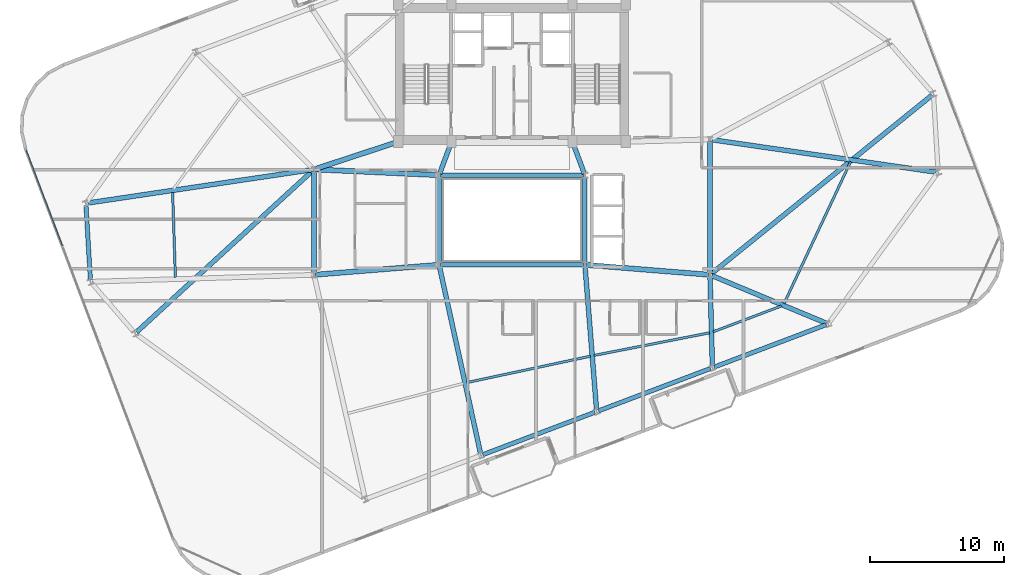
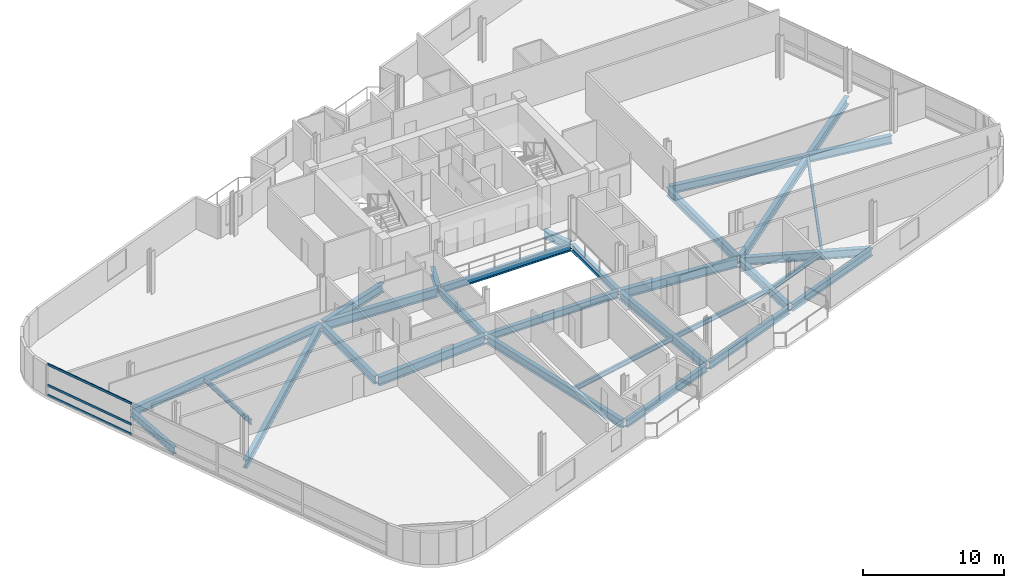
# One storey, part 9 of 24: 29 beams, 3 members, 1 element without a shape of its own.
"""IFC4 building model written with IfcOpenShell, lengths in metres."""

from ifc_helpers import new_model, si_unit, direction, frame, origin, origin_2d, place, context, subcontext, project, spatial, hollow_rectangle, i_section, extrude, material, layer, layer_set, material_profile, profile_set, type_object, element, aggregate, save


model = new_model("IFC4")

# Units and contexts
model_context = context("Model", 3, precision=1e-05, world=origin(), true_north=direction((0.0, 1.0)))
body_context = subcontext(model_context, "Body", "Model", "MODEL_VIEW")
ifc_project = project(units=[si_unit("LENGTHUNIT", "METRE"), si_unit("AREAUNIT", "SQUARE_METRE"), si_unit("VOLUMEUNIT", "CUBIC_METRE"), si_unit("PLANEANGLEUNIT", "RADIAN"), si_unit("MASSUNIT", "GRAM", prefix="KILO")], contexts=[model_context])

# Site, building, storey
site_placement = place(None, origin())
site = spatial("IfcSite", under=ifc_project, at=site_placement, CompositionType="ELEMENT")
building_placement = place(site_placement, origin())
building = spatial("IfcBuilding", under=site, at=building_placement, Name="Varnelok Gate Tower", CompositionType="ELEMENT")
storey_placement = place(building_placement, frame((0.0, 0.0, 242.300048828125)))
storey = spatial("IfcBuildingStorey", under=building, at=storey_placement, Name="L62", CompositionType="ELEMENT", Elevation=242.300048828125)

# Beams
ifc_material_1 = material(Name="Structural Steel ASTM A992 Grade 50", Category="steel")
ifc_material_profile_1 = material_profile(ifc_material_1, i_section(OverallWidth=0.180908203125, OverallDepth=0.4169921875, WebThickness=0.010986328125, FlangeThickness=0.018310546875, FilletRadius=0.013916015625, at=origin_2d()), Name="W16X57")
ifc_profile_set_1 = profile_set([ifc_material_profile_1], Name="Structural Steel ASTM A992 Grade 50")
beam_type_1 = type_object("IfcBeamType", Name="BM-JST-W16X57", PredefinedType="JOIST", material=ifc_profile_set_1)
beam_1_placement = place(storey_placement, frame((35.827392578125, 10.74609375, -0.45849609375), z_axis=(0.97793355235, 0.208916172636, 0.0), x_axis=(-0.208916172636, 0.97793355235, 0.0)))
element("IfcBeam", 1, at=beam_1_placement, inside=storey, type_object=beam_type_1, Name="L62 Sector Floor Joist 2", PredefinedType="JOIST", context=body_context, shape_type="SweptSolid", body=[
    extrude(i_section(OverallWidth=0.180908203125, OverallDepth=0.4169921875, WebThickness=0.010986328125, FlangeThickness=0.018310546875, FilletRadius=0.013916015625, at=origin_2d()), origin(), (0.0, 0.0, 1.0), 9.43994140625),
])
beam_2_placement = place(storey_placement, frame((45.33349609375, 12.7744140625, -0.45849609375), z_axis=(0.981373341714, 0.192110291692, 0.0), x_axis=(-0.192110291692, 0.981373341714, 0.0)))
element("IfcBeam", 2, at=beam_2_placement, inside=storey, type_object=beam_type_1, Name="L62 Sector Floor Joist 3", PredefinedType="JOIST", context=body_context, shape_type="SweptSolid", body=[
    extrude(i_section(OverallWidth=0.180908203125, OverallDepth=0.4169921875, WebThickness=0.010986328125, FlangeThickness=0.018310546875, FilletRadius=0.013916015625, at=origin_2d()), origin(), (0.0, 0.0, 1.0), 8.8056640625),
])
beam_3_placement = place(storey_placement, frame((54.243408203125, 14.54248046875, -0.45849609375), z_axis=(0.935206160185, 0.354103710729, 0.0), x_axis=(-0.354103710729, 0.935206160185, 0.0)))
element("IfcBeam", 3, at=beam_3_placement, inside=storey, type_object=beam_type_1, Name="L62 Sector Floor Joist 4", PredefinedType="JOIST", context=body_context, shape_type="SweptSolid", body=[
    extrude(i_section(OverallWidth=0.180908203125, OverallDepth=0.4169921875, WebThickness=0.010986328125, FlangeThickness=0.018310546875, FilletRadius=0.013916015625, at=origin_2d()), origin(), (0.0, 0.0, 1.0), 5.455078125),
])
beam_4_placement = place(storey_placement, frame((59.535400390625, 16.650390625, -0.45849609375), z_axis=(0.424724636523, 0.905322585121, 0.0), x_axis=(-0.905322585121, 0.424724636523, 0.0)))
element("IfcBeam", 4, at=beam_4_placement, inside=storey, type_object=beam_type_1, Name="L62 Sector Floor Joist 5", PredefinedType="JOIST", context=body_context, shape_type="SweptSolid", body=[
    extrude(i_section(OverallWidth=0.180908203125, OverallDepth=0.4169921875, WebThickness=0.010986328125, FlangeThickness=0.018310546875, FilletRadius=0.013916015625, at=origin_2d()), origin(), (0.0, 0.0, 1.0), 11.723388671875),
])
beam_5_placement = place(storey_placement, frame((13.830322265625, 24.969482421875, -0.45849609375), z_axis=(0.032693153675, -0.999465435972, 0.0), x_axis=(0.999465435972, 0.032693153675, 0.0)))
element("IfcBeam", 5, at=beam_5_placement, inside=storey, type_object=beam_type_1, Name="L62 Sector Floor Joist 12", PredefinedType="JOIST", context=body_context, shape_type="SweptSolid", body=[
    extrude(i_section(OverallWidth=0.180908203125, OverallDepth=0.4169921875, WebThickness=0.010986328125, FlangeThickness=0.018310546875, FilletRadius=0.013916015625, at=origin_2d()), origin(), (0.0, 0.0, 1.0), 6.35498046875),
])
ifc_material_profile_2 = material_profile(ifc_material_1, i_section(OverallWidth=0.35498046875, OverallDepth=0.696044921875, WebThickness=0.015380859375, FlangeThickness=0.02490234375, FilletRadius=0.02001953125, at=origin_2d()), Name="W27X146")
ifc_profile_set_2 = profile_set([ifc_material_profile_2], Name="Structural Steel ASTM A992 Grade 50")
beam_type_2 = type_object("IfcBeamType", Name="BM-PRI-W27X146", PredefinedType="BEAM", material=ifc_profile_set_2)
for number, where, z_axis, x_axis, name in (
    (6, (33.791748046875, 26.362548828125, -0.59814453125), (0.348719329408, 0.937227202602, 0.0), (-0.937227202602, 0.348719329408, 0.0), "L62 Core-Atrium Spine Beam 12"),
    (7, (44.608154296875, 26.362548828125, -0.59814453125), (-0.348719329408, 0.937227202602, 0.0), (-0.937227202602, -0.348719329408, 0.0), "L62 Core-Atrium Spine Beam 13"),
):
    element("IfcBeam", number, at=place(storey_placement, frame(where, z_axis=z_axis, x_axis=x_axis)), inside=storey, type_object=beam_type_2, Name=name, PredefinedType="BEAM", context=body_context, shape_type="SweptSolid", body=[
        extrude(i_section(OverallWidth=0.35498046875, OverallDepth=0.696044921875, WebThickness=0.015380859375, FlangeThickness=0.02490234375, FilletRadius=0.02001953125, at=origin_2d()), origin(), (0.0, 0.0, 1.0), 2.42724609375),
    ])
beam_6_placement = place(storey_placement, frame((24.39990234375, 18.919921875, -0.59814453125), z_axis=(0.0, 1.0, 0.0), x_axis=(-1.0, 0.0, 0.0)))
element("IfcBeam", 8, at=beam_6_placement, inside=storey, type_object=beam_type_2, Name="L62 Core-Atrium Spine Beam 16", PredefinedType="BEAM", context=body_context, shape_type="SweptSolid", body=[
    extrude(i_section(OverallWidth=0.35498046875, OverallDepth=0.696044921875, WebThickness=0.015380859375, FlangeThickness=0.02490234375, FilletRadius=0.02001953125, at=origin_2d()), origin(), (0.0, 0.0, 1.0), 7.64013671875),
])
beam_7_placement = place(storey_placement, frame((54.0, 18.919921875, -0.59814453125), z_axis=(0.0, 1.0, 0.0), x_axis=(-1.0, 0.0, 0.0)))
element("IfcBeam", 9, at=beam_7_placement, inside=storey, type_object=beam_type_2, Name="L62 Core-Atrium Spine Beam 20", PredefinedType="BEAM", context=body_context, shape_type="SweptSolid", body=[
    extrude(i_section(OverallWidth=0.35498046875, OverallDepth=0.696044921875, WebThickness=0.015380859375, FlangeThickness=0.02490234375, FilletRadius=0.02001953125, at=origin_2d()), origin(), (0.0, 0.0, 1.0), 9.880126953125),
])
beam_8_placement = place(storey_placement, frame((33.7822265625, 19.403564453125, -0.59814453125), z_axis=(0.214566745256, -0.976709328219, 0.0), x_axis=(0.976709328219, 0.214566745256, 0.0)))
element("IfcBeam", 10, at=beam_8_placement, inside=storey, type_object=beam_type_2, Name="L62 Radial Floor Girder 2", PredefinedType="BEAM", context=body_context, shape_type="SweptSolid", body=[
    extrude(i_section(OverallWidth=0.35498046875, OverallDepth=0.696044921875, WebThickness=0.015380859375, FlangeThickness=0.02490234375, FilletRadius=0.02001953125, at=origin_2d()), origin(), (0.0, 0.0, 1.0), 14.28662109375),
])
beam_9_placement = place(storey_placement, frame((44.662109375, 19.400390625, -0.59814453125), z_axis=(0.079989916961, -0.996795672736, 0.0), x_axis=(0.996795672736, 0.079989916961, 0.0)))
element("IfcBeam", 11, at=beam_9_placement, inside=storey, type_object=beam_type_2, Name="L62 Radial Floor Girder 3", PredefinedType="BEAM", context=body_context, shape_type="SweptSolid", body=[
    extrude(i_section(OverallWidth=0.35498046875, OverallDepth=0.696044921875, WebThickness=0.015380859375, FlangeThickness=0.02490234375, FilletRadius=0.02001953125, at=origin_2d()), origin(), (0.0, 0.0, 1.0), 10.70703125),
])
beam_10_placement = place(storey_placement, frame((54.00390625, 18.650146484375, -0.59814453125), z_axis=(0.026105842948, -0.999659184404, 0.0), x_axis=(0.999659184404, 0.026105842948, 0.0)))
element("IfcBeam", 12, at=beam_10_placement, inside=storey, type_object=beam_type_2, Name="L62 Radial Floor Girder 4", PredefinedType="BEAM", context=body_context, shape_type="SweptSolid", body=[
    extrude(i_section(OverallWidth=0.35498046875, OverallDepth=0.696044921875, WebThickness=0.015380859375, FlangeThickness=0.02490234375, FilletRadius=0.02001953125, at=origin_2d()), origin(), (0.0, 0.0, 1.0), 6.649169921875),
])
beam_11_placement = place(storey_placement, frame((54.138427734375, 18.742431640625, -0.59814453125), z_axis=(0.923393134815, -0.383855595995, 0.0), x_axis=(0.383855595995, 0.923393134815, 0.0)))
element("IfcBeam", 13, at=beam_11_placement, inside=storey, type_object=beam_type_2, Name="L62 Radial Floor Girder 5", PredefinedType="BEAM", context=body_context, shape_type="SweptSolid", body=[
    extrude(i_section(OverallWidth=0.35498046875, OverallDepth=0.696044921875, WebThickness=0.015380859375, FlangeThickness=0.02490234375, FilletRadius=0.02001953125, at=origin_2d()), origin(), (0.0, 0.0, 1.0), 9.264892578125),
])
beam_12_placement = place(storey_placement, frame((54.1484375, 28.8984375, -0.59814453125), z_axis=(0.989703475153, -0.143132914699, 0.0), x_axis=(0.143132914699, 0.989703475153, 0.0)))
element("IfcBeam", 14, at=beam_12_placement, inside=storey, type_object=beam_type_2, Name="L62 Radial Floor Girder 6", PredefinedType="BEAM", context=body_context, shape_type="SweptSolid", body=[
    extrude(i_section(OverallWidth=0.35498046875, OverallDepth=0.696044921875, WebThickness=0.015380859375, FlangeThickness=0.02490234375, FilletRadius=0.02001953125, at=origin_2d()), origin(), (0.0, 0.0, 1.0), 16.932373046875),
])
beam_13_placement = place(storey_placement, frame((54.11669921875, 18.894287109375, -0.59814453125), z_axis=(0.777332597566, 0.629089844745, 0.0), x_axis=(-0.629089844745, 0.777332597566, 0.0)))
element("IfcBeam", 15, at=beam_13_placement, inside=storey, type_object=beam_type_2, Name="L62 Radial Floor Girder 7", PredefinedType="BEAM", context=body_context, shape_type="SweptSolid", body=[
    extrude(i_section(OverallWidth=0.35498046875, OverallDepth=0.696044921875, WebThickness=0.015380859375, FlangeThickness=0.02490234375, FilletRadius=0.02001953125, at=origin_2d()), origin(), (0.0, 0.0, 1.0), 21.190673828125),
])
beam_14_placement = place(storey_placement, frame((24.251708984375, 26.657958984375, -0.59814453125), z_axis=(-0.989147373927, -0.146926759485, 0.0), x_axis=(0.146926759485, -0.989147373927, 0.0)))
element("IfcBeam", 16, at=beam_14_placement, inside=storey, type_object=beam_type_2, Name="L62 Radial Floor Girder 14", PredefinedType="BEAM", context=body_context, shape_type="SweptSolid", body=[
    extrude(i_section(OverallWidth=0.35498046875, OverallDepth=0.696044921875, WebThickness=0.015380859375, FlangeThickness=0.02490234375, FilletRadius=0.02001953125, at=origin_2d()), origin(), (0.0, 0.0, 1.0), 16.942138671875),
])
beam_15_placement = place(storey_placement, frame((24.289306640625, 26.57861328125, -0.59814453125), z_axis=(-0.737119491435, -0.675762425226, 0.0), x_axis=(0.675762425226, -0.737119491435, 0.0)))
element("IfcBeam", 17, at=beam_15_placement, inside=storey, type_object=beam_type_2, Name="L62 Radial Floor Girder 16", PredefinedType="BEAM", context=body_context, shape_type="SweptSolid", body=[
    extrude(i_section(OverallWidth=0.35498046875, OverallDepth=0.696044921875, WebThickness=0.015380859375, FlangeThickness=0.02490234375, FilletRadius=0.02001953125, at=origin_2d()), origin(), (0.0, 0.0, 1.0), 17.841796875),
])
ifc_material_profile_3 = material_profile(ifc_material_1, i_section(OverallWidth=0.381103515625, OverallDepth=0.77294921875, WebThickness=0.0166015625, FlangeThickness=0.027099609375, FilletRadius=0.02197265625, at=origin_2d()), Name="W30X173")
ifc_profile_set_3 = profile_set([ifc_material_profile_3], Name="Structural Steel ASTM A992 Grade 50")
beam_type_3 = type_object("IfcBeamType", Name="BM-PRI-W30X173", PredefinedType="BEAM", material=ifc_profile_set_3)
beam_16_placement = place(storey_placement, frame((24.51953125, 18.8095703125, -0.636474609375), z_axis=(0.996799206292, 0.07994587128, 0.0), x_axis=(-0.07994587128, 0.996799206292, 0.0)))
element("IfcBeam", 18, at=beam_16_placement, inside=storey, type_object=beam_type_3, Name="L62 Core-Atrium Spine Beam 14", PredefinedType="BEAM", context=body_context, shape_type="SweptSolid", body=[
    extrude(i_section(OverallWidth=0.381103515625, OverallDepth=0.77294921875, WebThickness=0.0166015625, FlangeThickness=0.027099609375, FilletRadius=0.02197265625, at=origin_2d()), origin(), (0.0, 0.0, 1.0), 9.14013671875),
])
beam_17_placement = place(storey_placement, frame((24.52001953125, 26.674560546875, -0.636474609375), z_axis=(0.99894427814, -0.045938319209, 0.0), x_axis=(0.045938319209, 0.99894427814, 0.0)))
element("IfcBeam", 19, at=beam_17_placement, inside=storey, type_object=beam_type_3, Name="L62 Core-Atrium Spine Beam 15", PredefinedType="BEAM", context=body_context, shape_type="SweptSolid", body=[
    extrude(i_section(OverallWidth=0.381103515625, OverallDepth=0.77294921875, WebThickness=0.0166015625, FlangeThickness=0.027099609375, FilletRadius=0.02197265625, at=origin_2d()), origin(), (0.0, 0.0, 1.0), 9.11962890625),
])
beam_18_placement = place(storey_placement, frame((24.513916015625, 26.717529296875, -0.636474609375), z_axis=(0.950041943788, 0.312122259768, 0.0), x_axis=(-0.312122259768, 0.950041943788, 0.0)))
element("IfcBeam", 20, at=beam_18_placement, inside=storey, type_object=beam_type_3, Name="L62 Core-Atrium Spine Beam 17", PredefinedType="BEAM", context=body_context, shape_type="SweptSolid", body=[
    extrude(i_section(OverallWidth=0.381103515625, OverallDepth=0.77294921875, WebThickness=0.0166015625, FlangeThickness=0.027099609375, FilletRadius=0.02197265625, at=origin_2d()), origin(), (0.0, 0.0, 1.0), 6.391357421875),
])
beam_19_placement = place(storey_placement, frame((44.76953125, 19.540283203125, -0.636474609375), z_axis=(0.996799206292, -0.07994587128, 0.0), x_axis=(0.07994587128, 0.996799206292, 0.0)))
element("IfcBeam", 21, at=beam_19_placement, inside=storey, type_object=beam_type_3, Name="L62 Core-Atrium Spine Beam 18", PredefinedType="BEAM", context=body_context, shape_type="SweptSolid", body=[
    extrude(i_section(OverallWidth=0.381103515625, OverallDepth=0.77294921875, WebThickness=0.0166015625, FlangeThickness=0.027099609375, FilletRadius=0.02197265625, at=origin_2d()), origin(), (0.0, 0.0, 1.0), 9.14013671875),
])
ifc_material_profile_4 = material_profile(ifc_material_1, i_section(OverallWidth=0.323974609375, OverallDepth=0.611083984375, WebThickness=0.0126953125, FlangeThickness=0.01904296875, FilletRadius=0.01806640625, at=origin_2d()), Name="W24X104")
ifc_profile_set_4 = profile_set([ifc_material_profile_4], Name="Structural Steel ASTM A992 Grade 50")
beam_type_4 = type_object("IfcBeamType", Name="BM-SPN-W24X104", PredefinedType="SPANDREL", material=ifc_profile_set_4)
for number, where, z_axis, x_axis, name in (
    (22, (33.8701171875, 19.550048828125, -0.5556640625), (1.0, 0.0, 0.0), (0.0, 1.0, 0.0), "L62 Core-Atrium Spine Beam 8"),
    (23, (33.8701171875, 26.25, -0.5556640625), (1.0, 0.0, 0.0), (0.0, 1.0, 0.0), "L62 Core-Atrium Spine Beam 9"),
):
    element("IfcBeam", number, at=place(storey_placement, frame(where, z_axis=z_axis, x_axis=x_axis)), inside=storey, type_object=beam_type_4, Name=name, PredefinedType="SPANDREL", context=body_context, shape_type="SweptSolid", body=[
        extrude(i_section(OverallWidth=0.323974609375, OverallDepth=0.611083984375, WebThickness=0.0126953125, FlangeThickness=0.01904296875, FilletRadius=0.01806640625, at=origin_2d()), origin(), (0.0, 0.0, 1.0), 10.659912109375),
    ])
for number, where, z_axis, x_axis, name in (
    (24, (33.75, 19.669921875, -0.5556640625), (0.0, 1.0, 0.0), (-1.0, 0.0, 0.0), "L62 Core-Atrium Spine Beam 10"),
    (25, (44.64990234375, 19.669921875, -0.5556640625), (0.0, 1.0, 0.0), (-1.0, 0.0, 0.0), "L62 Core-Atrium Spine Beam 11"),
):
    element("IfcBeam", number, at=place(storey_placement, frame(where, z_axis=z_axis, x_axis=x_axis)), inside=storey, type_object=beam_type_4, Name=name, PredefinedType="SPANDREL", context=body_context, shape_type="SweptSolid", body=[
        extrude(i_section(OverallWidth=0.323974609375, OverallDepth=0.611083984375, WebThickness=0.0126953125, FlangeThickness=0.01904296875, FilletRadius=0.01806640625, at=origin_2d()), origin(), (0.0, 0.0, 1.0), 6.4599609375),
    ])
beam_20_placement = place(storey_placement, frame((37.02001953125, 5.356201171875, -0.5556640625), z_axis=(0.935220356141, 0.354066216208, 0.0), x_axis=(-0.354066216208, 0.935220356141, 0.0)))
element("IfcBeam", 26, at=beam_20_placement, inside=storey, type_object=beam_type_4, Name="L62 Perimeter Spandrel Beam 2", PredefinedType="SPANDREL", context=body_context, shape_type="SweptSolid", body=[
    extrude(i_section(OverallWidth=0.323974609375, OverallDepth=0.611083984375, WebThickness=0.0126953125, FlangeThickness=0.01904296875, FilletRadius=0.01806640625, at=origin_2d()), origin(), (0.0, 0.0, 1.0), 8.9501953125),
])
for number, where, z_axis, x_axis, name in (
    (27, (45.6708984375, 8.63134765625, -0.5556640625), (0.935216936382, 0.354075248928, 0.0), (-0.354075248928, 0.935216936382, 0.0), "L62 Perimeter Spandrel Beam 3"),
    (28, (54.32177734375, 11.906494140625, -0.5556640625), (0.935225969099, 0.354051389947, 0.0), (-0.354051389947, 0.935225969099, 0.0), "L62 Perimeter Spandrel Beam 4"),
):
    element("IfcBeam", number, at=place(storey_placement, frame(where, z_axis=z_axis, x_axis=x_axis)), inside=storey, type_object=beam_type_4, Name=name, PredefinedType="SPANDREL", context=body_context, shape_type="SweptSolid", body=[
        extrude(i_section(OverallWidth=0.323974609375, OverallDepth=0.611083984375, WebThickness=0.0126953125, FlangeThickness=0.01904296875, FilletRadius=0.01806640625, at=origin_2d()), origin(), (0.0, 0.0, 1.0), 8.949951171875),
    ])
beam_21_placement = place(storey_placement, frame((7.353759765625, 23.996826171875, -0.5556640625), z_axis=(0.059497061762, -0.99822848068, 0.0), x_axis=(0.99822848068, 0.059497061762, 0.0)))
element("IfcBeam", 29, at=beam_21_placement, inside=storey, type_object=beam_type_4, Name="L62 Perimeter Spandrel Beam 14", PredefinedType="SPANDREL", context=body_context, shape_type="SweptSolid", body=[
    extrude(i_section(OverallWidth=0.323974609375, OverallDepth=0.611083984375, WebThickness=0.0126953125, FlangeThickness=0.01904296875, FilletRadius=0.01806640625, at=origin_2d()), origin(), (0.0, 0.0, 1.0), 5.576416015625),
])

# Curtain wall, members
ifc_material_2 = material(Name="Anodized Aluminum Alloy 6063-T6", Category="aluminium")
ifc_layer = layer(ifc_material_2, 0.179931640625)
ifc_layer_set = layer_set([ifc_layer], Name="Anodized Aluminum Alloy 6063-T6")
curtain_wall_type = type_object("IfcCurtainWallType", Name="CW4-RESIDENCE-VISION", PredefinedType="USERDEFINED", material=ifc_layer_set)
curtain_wall_placement = place(storey_placement, origin())
curtain_wall = element("IfcCurtainWall", 30, at=curtain_wall_placement, inside=storey, type_object=curtain_wall_type, Name="L62 West End Vision Curtain Wall", ObjectType="UNITISED CURTAIN WALL", PredefinedType="USERDEFINED")
ifc_material_profile_5 = material_profile(ifc_material_2, hollow_rectangle(XDim=0.074951171875, YDim=0.199951171875, WallThickness=0.00390625, at=origin_2d()), Name="ALU200X75X4")
ifc_profile_set_5 = profile_set([ifc_material_profile_5], Name="Anodized Aluminum Alloy 6063-T6")
member_type = type_object("IfcMemberType", Name="CW-TRAN-200", PredefinedType="USERDEFINED", material=ifc_profile_set_5)
member_1_placement = place(storey_placement, frame((5.60009765625, 20.9599609375, 0.037353515625), z_axis=(-0.354073041953, 0.935217771945, 0.0), x_axis=(-0.935217771945, -0.354073041953, 0.0)))
member_1 = element("IfcMember", 31, at=member_1_placement, type_object=member_type, Name="CW4 transom 4.1", ObjectType="TRANSOM", PredefinedType="USERDEFINED", context=body_context, shape_type="SweptSolid", body=[
    extrude(hollow_rectangle(XDim=0.074951171875, YDim=0.199951171875, WallThickness=0.00390625, at=origin_2d()), origin(), (0.0, 0.0, 1.0), 7.6875),
])
member_2_placement = place(storey_placement, frame((5.60009765625, 20.9599609375, 0.89990234375), z_axis=(-0.354073041953, 0.935217771945, 0.0), x_axis=(-0.935217771945, -0.354073041953, 0.0)))
member_2 = element("IfcMember", 32, at=member_2_placement, type_object=member_type, Name="CW4 transom 4.2", ObjectType="TRANSOM", PredefinedType="USERDEFINED", context=body_context, shape_type="SweptSolid", body=[
    extrude(hollow_rectangle(XDim=0.074951171875, YDim=0.199951171875, WallThickness=0.00390625, at=origin_2d()), origin(), (0.0, 0.0, 1.0), 7.6875),
])
member_3_placement = place(storey_placement, frame((5.60009765625, 20.9599609375, 2.6923828125), z_axis=(-0.354073041953, 0.935217771945, 0.0), x_axis=(-0.935217771945, -0.354073041953, 0.0)))
member_3 = element("IfcMember", 33, at=member_3_placement, type_object=member_type, Name="CW4 transom 4.3", ObjectType="TRANSOM", PredefinedType="USERDEFINED", context=body_context, shape_type="SweptSolid", body=[
    extrude(hollow_rectangle(XDim=0.074951171875, YDim=0.199951171875, WallThickness=0.00390625, at=origin_2d()), origin(), (0.0, 0.0, 1.0), 7.6875),
])
aggregate(curtain_wall, [member_1, member_2, member_3])

save(model, "model.ifc")
